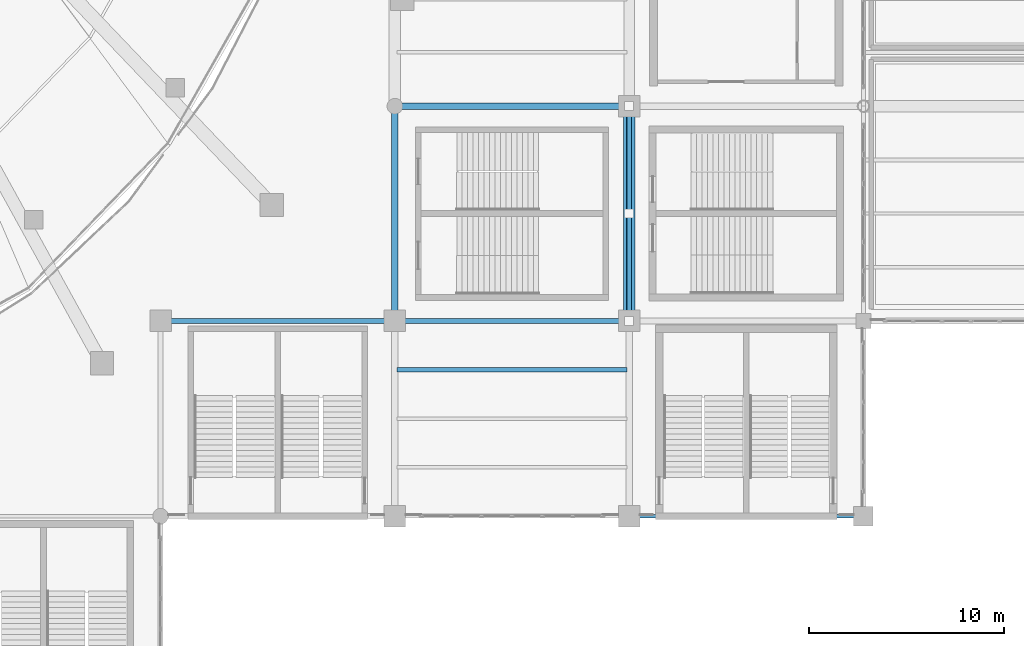
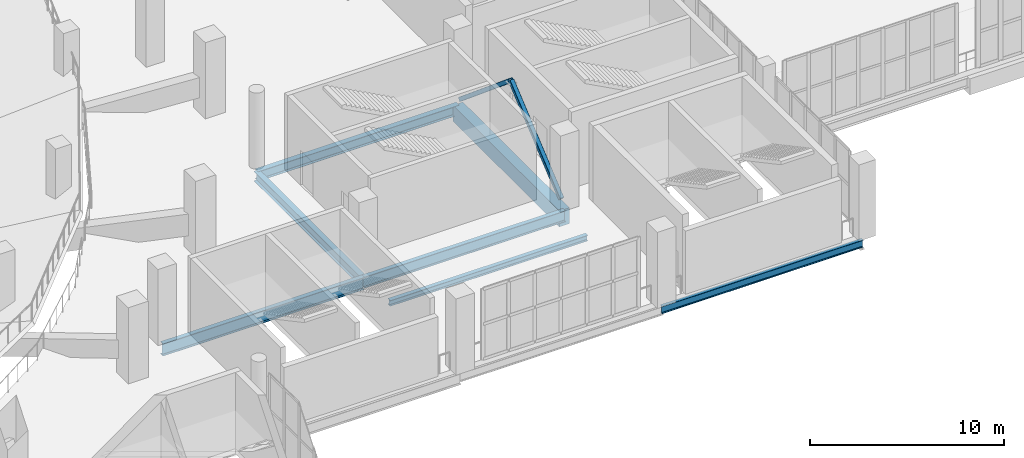
# One storey, part 59 of 136: 7 beams, 2 members.
"""IFC4 building model written with IfcOpenShell, lengths in metres."""

from ifc_helpers import new_model, si_unit, direction, frame, origin, origin_2d, place, context, subcontext, project, spatial, rectangle, hollow_rectangle, i_section, extrude, material, material_profile, profile_set, type_object, element, save


model = new_model("IFC4")

# Units and contexts
model_context = context("Model", 3, precision=1e-05, world=origin(), true_north=direction((0.0, 1.0)))
body_context = subcontext(model_context, "Body", "Model", "MODEL_VIEW")
ifc_project = project(units=[si_unit("LENGTHUNIT", "METRE"), si_unit("AREAUNIT", "SQUARE_METRE"), si_unit("VOLUMEUNIT", "CUBIC_METRE"), si_unit("PLANEANGLEUNIT", "RADIAN"), si_unit("MASSUNIT", "GRAM", prefix="KILO")], contexts=[model_context])

# Site, building, storey
site_placement = place(None, origin())
site = spatial("IfcSite", under=ifc_project, at=site_placement, CompositionType="ELEMENT")
building_placement = place(site_placement, origin())
building = spatial("IfcBuilding", under=site, at=building_placement, Name="Brinegate Civic Arena", CompositionType="ELEMENT")
storey_placement = place(building_placement, frame((0.0, 0.0, 5.39990234375)))
storey = spatial("IfcBuildingStorey", under=building, at=storey_placement, Name="L01", CompositionType="ELEMENT", Elevation=5.39990234375)

# Beams
ifc_material_1 = material(Name="Steel S355", Category="steel")
ifc_material_profile_1 = material_profile(ifc_material_1, i_section(OverallWidth=0.323974609375, OverallDepth=0.611083984375, WebThickness=0.012939453125, FlangeThickness=0.01904296875, FilletRadius=0.01611328125, at=origin_2d()), Name="W610X155")
ifc_profile_set_1 = profile_set([ifc_material_profile_1], Name="Steel S355")
beam_type_1 = type_object("IfcBeamType", Name="GIRDER-W610X155", PredefinedType="BEAM", material=ifc_profile_set_1)
beam_1_placement = place(storey_placement, frame((144.0, 31.0, -0.64501953125), z_axis=(1.0, 0.0, 0.0), x_axis=(0.0, 1.0, 0.0)))
element("IfcBeam", 1, at=beam_1_placement, inside=storey, type_object=beam_type_1, Name="Floor Girder BM-L01-GX-12-03", PredefinedType="BEAM", context=body_context, shape_type="SweptSolid", body=[
    extrude(i_section(OverallWidth=0.323974609375, OverallDepth=0.611083984375, WebThickness=0.012939453125, FlangeThickness=0.01904296875, FilletRadius=0.01611328125, at=origin_2d()), origin(), (0.0, 0.0, 1.0), 12.0),
])
ifc_material_profile_2 = material_profile(ifc_material_1, i_section(OverallWidth=0.324951171875, OverallDepth=0.615966796875, WebThickness=0.013916015625, FlangeThickness=0.02197265625, FilletRadius=0.01611328125, at=origin_2d()), Name="W610X174")
ifc_profile_set_2 = profile_set([ifc_material_profile_2], Name="Steel S355")
beam_type_2 = type_object("IfcBeamType", Name="GIRDER-W610X174", PredefinedType="BEAM", material=ifc_profile_set_2)
beam_2_placement = place(storey_placement, frame((144.0, 20.0, -0.64794921875), z_axis=(0.0, 1.0, 0.0), x_axis=(-1.0, 0.0, 0.0)))
element("IfcBeam", 2, at=beam_2_placement, inside=storey, type_object=beam_type_2, Name="Floor Girder BM-L01-GY-12-02", PredefinedType="BEAM", context=body_context, shape_type="SweptSolid", body=[
    extrude(i_section(OverallWidth=0.324951171875, OverallDepth=0.615966796875, WebThickness=0.013916015625, FlangeThickness=0.02197265625, FilletRadius=0.01611328125, at=origin_2d()), origin(), (0.0, 0.0, 1.0), 11.0),
])
ifc_material_profile_3 = material_profile(ifc_material_1, i_section(OverallWidth=0.256103515625, OverallDepth=0.693115234375, WebThickness=0.014892578125, FlangeThickness=0.02392578125, FilletRadius=0.01806640625, at=origin_2d()), Name="W690X170")
ifc_profile_set_3 = profile_set([ifc_material_profile_3], Name="Steel S355")
beam_type_3 = type_object("IfcBeamType", Name="GIRDER-W690X170", PredefinedType="BEAM", material=ifc_profile_set_3)
beam_3_placement = place(storey_placement, frame((144.0, 20.0, -0.685791015625), z_axis=(1.0, 0.0, 0.0), x_axis=(0.0, 1.0, 0.0)))
element("IfcBeam", 3, at=beam_3_placement, inside=storey, type_object=beam_type_3, Name="Floor Girder BM-L01-GX-12-02", PredefinedType="BEAM", context=body_context, shape_type="SweptSolid", body=[
    extrude(i_section(OverallWidth=0.256103515625, OverallDepth=0.693115234375, WebThickness=0.014892578125, FlangeThickness=0.02392578125, FilletRadius=0.01806640625, at=origin_2d()), origin(), (0.0, 0.0, 1.0), 12.0),
])
ifc_material_profile_4 = material_profile(ifc_material_1, i_section(OverallWidth=0.26806640625, OverallDepth=0.77001953125, WebThickness=0.01611328125, FlangeThickness=0.02490234375, FilletRadius=0.02001953125, at=origin_2d()), Name="W760X196")
ifc_profile_set_4 = profile_set([ifc_material_profile_4], Name="Steel S355")
beam_type_4 = type_object("IfcBeamType", Name="GIRDER-W760X196", PredefinedType="BEAM", material=ifc_profile_set_4)
beam_4_placement = place(storey_placement, frame((132.0, 20.0, -0.724853515625), z_axis=(1.0, 0.0, 0.0), x_axis=(0.0, 1.0, 0.0)))
element("IfcBeam", 4, at=beam_4_placement, inside=storey, type_object=beam_type_4, Name="Floor Girder BM-L01-GX-11-02", PredefinedType="BEAM", context=body_context, shape_type="SweptSolid", body=[
    extrude(i_section(OverallWidth=0.26806640625, OverallDepth=0.77001953125, WebThickness=0.01611328125, FlangeThickness=0.02490234375, FilletRadius=0.02001953125, at=origin_2d()), origin(), (0.0, 0.0, 1.0), 12.0),
])
ifc_material_profile_5 = material_profile(ifc_material_1, i_section(OverallWidth=0.25390625, OverallDepth=0.35302734375, WebThickness=0.010009765625, FlangeThickness=0.01611328125, FilletRadius=0.013916015625, at=origin_2d()), Name="W360X91")
ifc_profile_set_5 = profile_set([ifc_material_profile_5], Name="Steel S355")
beam_type_5 = type_object("IfcBeamType", Name="JOIST-W360X91", PredefinedType="JOIST", material=ifc_profile_set_5)
beam_5_placement = place(storey_placement, frame((144.10595703125, 17.5, -0.515869140625), z_axis=(1.0, 0.0, 0.0), x_axis=(0.0, 1.0, 0.0)))
element("IfcBeam", 5, at=beam_5_placement, inside=storey, type_object=beam_type_5, Name="Secondary Joist BM-L01-JX-12-01-3", PredefinedType="JOIST", context=body_context, shape_type="SweptSolid", body=[
    extrude(i_section(OverallWidth=0.25390625, OverallDepth=0.35302734375, WebThickness=0.010009765625, FlangeThickness=0.01611328125, FilletRadius=0.013916015625, at=origin_2d()), origin(), (0.0, 0.0, 1.0), 11.7880859375),
])
ifc_material_2 = material(Name="Concrete C50/60", Category="concrete")
ifc_material_profile_6 = material_profile(ifc_material_2, rectangle(XDim=0.60009765625, YDim=1.0, at=origin_2d()), Name="RCB600X1000")
ifc_profile_set_6 = profile_set([ifc_material_profile_6], Name="Concrete C50/60")
beam_type_6 = type_object("IfcBeamType", Name="RCG-600X1000", PredefinedType="BEAM", material=ifc_profile_set_6)
beam_6_placement = place(storey_placement, frame((156.0, 20.0, -0.83984375), z_axis=(0.0, 1.0, 0.0), x_axis=(-1.0, 0.0, 0.0)))
element("IfcBeam", 6, at=beam_6_placement, inside=storey, type_object=beam_type_6, Name="Floor Girder BM-L01-GY-13-02", PredefinedType="BEAM", context=body_context, shape_type="SweptSolid", body=[
    extrude(rectangle(XDim=0.60009765625, YDim=1.0, at=origin_2d()), origin(), (0.0, 0.0, 1.0), 11.0),
])

# Members
ifc_material_profile_7 = material_profile(ifc_material_1, hollow_rectangle(XDim=0.25, YDim=0.25, WallThickness=0.011962890625, InnerFilletRadius=0.011962890625, OuterFilletRadius=0.02392578125, at=origin_2d()), Name="SHS250X12")
ifc_profile_set_7 = profile_set([ifc_material_profile_7], Name="Steel S355")
member_type = type_object("IfcMemberType", Name="SF-BRACE-SHS250", PredefinedType="BRACE", material=ifc_profile_set_7)
for number, where, z_axis, x_axis, name in (
    (7, (156.0, 20.320068359375, 0.150146484375), (0.0, 0.767969035238, 0.640486971699), (-1.0, 0.0, 0.0), "Lateral Chevron Brace 08-A"),
    (8, (156.0, 30.679931640625, 0.150146484375), (0.0, -0.767969035238, 0.640486971699), (1.0, 0.0, 0.0), "Lateral Chevron Brace 08-B"),
):
    element("IfcMember", number, at=place(storey_placement, frame(where, z_axis=z_axis, x_axis=x_axis)), inside=storey, type_object=member_type, Name=name, PredefinedType="BRACE", context=body_context, shape_type="SweptSolid", body=[
        extrude(hollow_rectangle(XDim=0.25, YDim=0.25, WallThickness=0.011962890625, InnerFilletRadius=0.011962890625, OuterFilletRadius=0.02392578125, at=origin_2d()), origin(), (0.0, 0.0, 1.0), 6.744873046875),
    ])

# Beam
ifc_material_profile_8 = material_profile(ifc_material_1, i_section(OverallWidth=0.193115234375, OverallDepth=0.466064453125, WebThickness=0.010986328125, FlangeThickness=0.01904296875, FilletRadius=0.014892578125, at=origin_2d()), Name="W460X97")
ifc_profile_set_8 = profile_set([ifc_material_profile_8], Name="Steel S355")
beam_type_7 = type_object("IfcBeamType", Name="SPANDREL-W460X97", PredefinedType="SPANDREL", material=ifc_profile_set_8)
beam_7_placement = place(storey_placement, frame((156.0, 10.0, -0.572998046875), z_axis=(1.0, 0.0, 0.0), x_axis=(0.0, 1.0, 0.0)))
element("IfcBeam", 9, at=beam_7_placement, inside=storey, type_object=beam_type_7, Name="Floor Girder BM-L01-GX-13-01", PredefinedType="SPANDREL", context=body_context, shape_type="SweptSolid", body=[
    extrude(i_section(OverallWidth=0.193115234375, OverallDepth=0.466064453125, WebThickness=0.010986328125, FlangeThickness=0.01904296875, FilletRadius=0.014892578125, at=origin_2d()), origin(), (0.0, 0.0, 1.0), 12.0),
])

save(model, "model.ifc")
